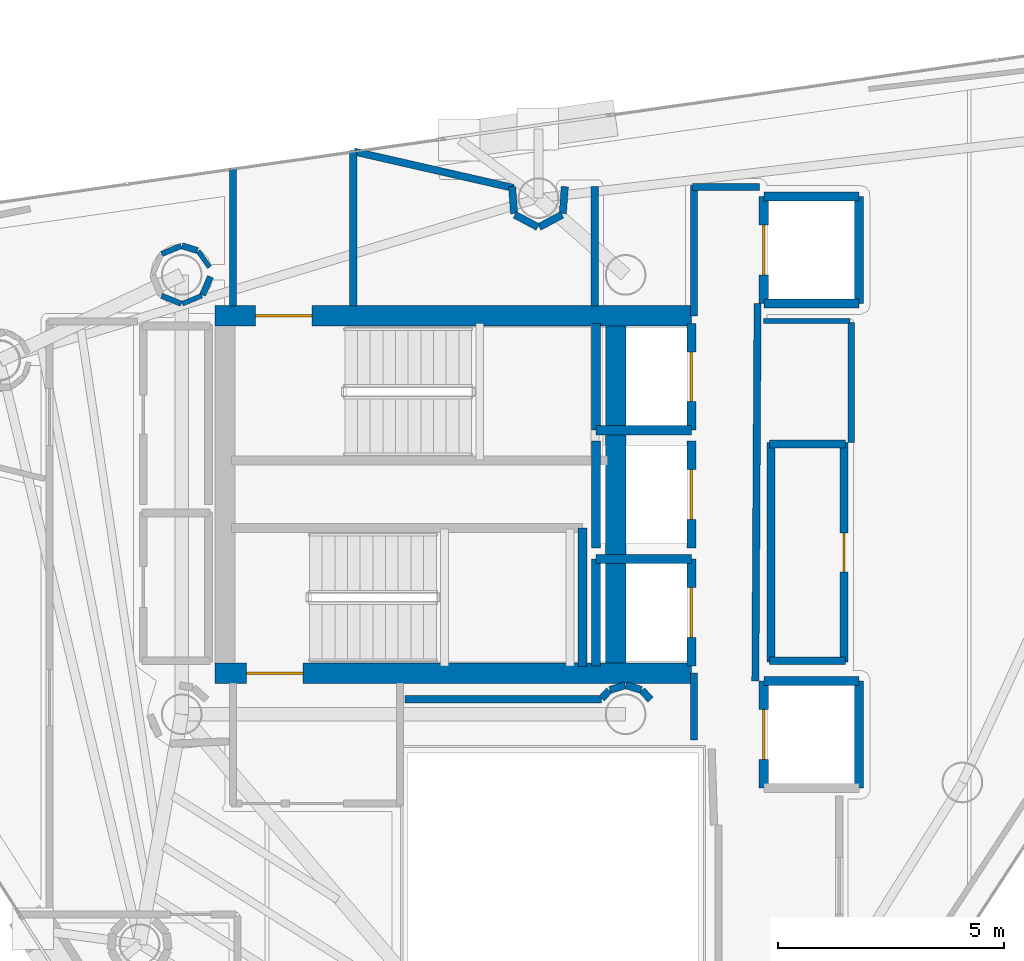
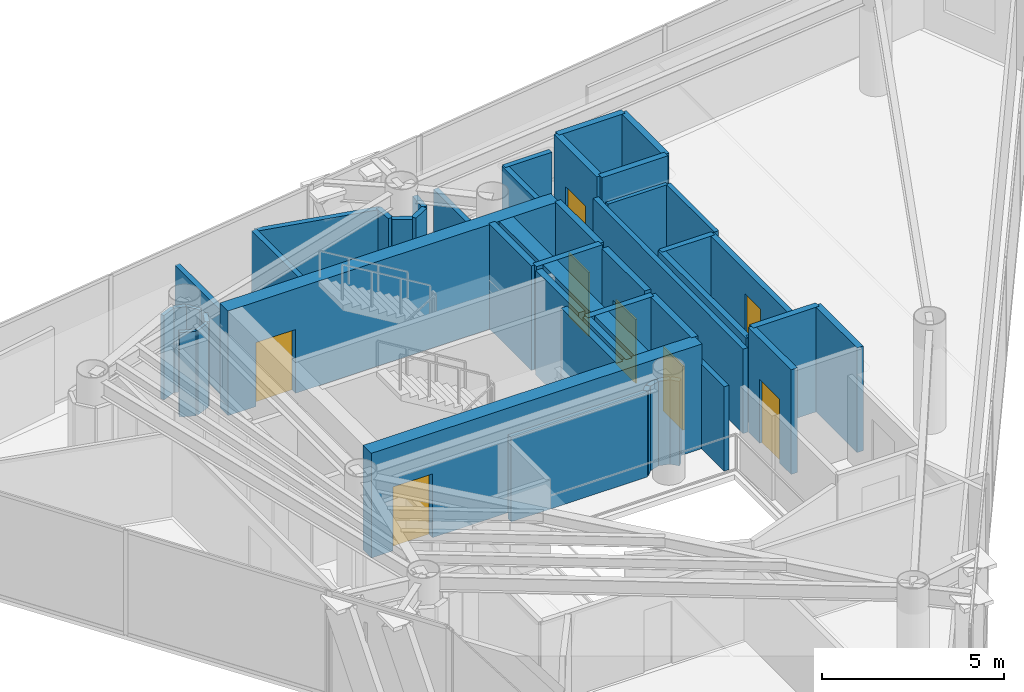
# One storey, part 21 of 25: 48 walls, 8 doors, 8 openings.
"""IFC4 building model written with IfcOpenShell, lengths in metres."""

from ifc_helpers import new_model, si_unit, direction, frame, frame_2d, origin, place, context, subcontext, project, spatial, rectangle, extrude, material, layer, layer_set, type_object, element, fill, save


model = new_model("IFC4")

# Units and contexts
model_context = context("Model", 3, precision=1e-05, world=origin(), true_north=direction((0.0, 1.0)))
body_context = subcontext(model_context, "Body", "Model", "MODEL_VIEW")
ifc_project = project(units=[si_unit("LENGTHUNIT", "METRE"), si_unit("AREAUNIT", "SQUARE_METRE"), si_unit("VOLUMEUNIT", "CUBIC_METRE"), si_unit("PLANEANGLEUNIT", "RADIAN"), si_unit("MASSUNIT", "GRAM", prefix="KILO")], contexts=[model_context])

# Site, building, storey
site_placement = place(None, origin())
site = spatial("IfcSite", under=ifc_project, at=site_placement, CompositionType="ELEMENT")
building_placement = place(site_placement, origin())
building = spatial("IfcBuilding", under=site, at=building_placement, Name="Qianvela Tower", CompositionType="ELEMENT")
storey_placement = place(building_placement, frame((0.0, 0.0, 288.0)))
storey = spatial("IfcBuildingStorey", under=building, at=storey_placement, Name="L74", CompositionType="ELEMENT", Elevation=288.0)

# Wall, opening, door
ifc_material_1 = material(Name="Concrete C50", Category="concrete")
ifc_layer_1 = layer(ifc_material_1, 0.449951171875)
ifc_layer_set_1 = layer_set([ifc_layer_1], Name="Concrete C50")
wall_type_1 = type_object("IfcWallType", Name="WT-CORE-450", PredefinedType="SHEAR", material=ifc_layer_set_1)
wall_1_placement = place(storey_placement, frame((29.330078125, 32.64501953125, 0.0), z_axis=(0.0, 0.0, 1.0), x_axis=(1.0, 0.0, 0.0)))
wall_1 = element("IfcWall", 1, at=wall_1_placement, inside=storey, type_object=wall_type_1, Name="L74 North Core Shear Wall", PredefinedType="SHEAR", context=body_context, shape_type="SweptSolid", body=[
    extrude(rectangle(XDim=10.52001953125, YDim=0.449951171875, at=frame_2d((5.260009765625, 0.0))), origin(), (0.0, 0.0, 1.0), 3.52001953125),
])
opening_1_placement = place(wall_1_placement, frame((0.89501953125, 0.0, 0.0)))
opening_1 = element("IfcOpeningElement", 2, at=opening_1_placement, cuts=wall_1, Name="Opening D-ST1", PredefinedType="OPENING", context=body_context, shape_type="SweptSolid", body=[
    extrude(rectangle(XDim=1.25, YDim=2.14990234375, at=frame_2d((0.625, 1.074951171875))), frame((0.0, 0.23486328125, 0.0), z_axis=(0.0, -1.0, 0.0), x_axis=(1.0, 0.0, 0.0)), (0.0, 0.0, 1.0), 0.469970703125),
])
ifc_material_2 = material(Name="Galvanised Fire Steel Q355B", Category="steel")
door_type_1 = type_object("IfcDoorType", Name="DT-STAIR-FD90", OperationType="NOTDEFINED", PredefinedType="DOOR", material=ifc_material_2)
door_1_placement = place(opening_1_placement, origin())
door_1 = element("IfcDoor", 3, at=door_1_placement, inside=storey, type_object=door_type_1, Name="L74 Stair ST-1 Exit Door", OperationType="SINGLE_SWING_RIGHT", OverallHeight=2.14990234375, OverallWidth=1.25, PredefinedType="DOOR", context=body_context, shape_type="SweptSolid", body=[
    extrude(rectangle(XDim=1.25, YDim=2.14990234375, at=frame_2d((0.625, 1.074951171875))), frame((0.0, 0.02490234375, 0.0), z_axis=(0.0, -1.0, 0.0), x_axis=(1.0, 0.0, 0.0)), (0.0, 0.0, 1.0), 0.050048828125),
])
fill(opening_1, door_1)

wall_2_placement = place(storey_placement, frame((29.330078125, 24.7548828125, 0.0), z_axis=(0.0, 0.0, 1.0), x_axis=(1.0, 0.0, 0.0)))
wall_2 = element("IfcWall", 4, at=wall_2_placement, inside=storey, type_object=wall_type_1, Name="L74 South Core Shear Wall", PredefinedType="SHEAR", context=body_context, shape_type="SweptSolid", body=[
    extrude(rectangle(XDim=10.52001953125, YDim=0.449951171875, at=frame_2d((5.260009765625, 0.0))), origin(), (0.0, 0.0, 1.0), 3.52001953125),
])
opening_2_placement = place(wall_2_placement, frame((0.695068359375, 0.0, 0.0)))
opening_2 = element("IfcOpeningElement", 5, at=opening_2_placement, cuts=wall_2, Name="Opening D-ST1", PredefinedType="OPENING", context=body_context, shape_type="SweptSolid", body=[
    extrude(rectangle(XDim=1.25, YDim=2.14990234375, at=frame_2d((0.625, 1.074951171875))), frame((0.0, 0.23486328125, 0.0), z_axis=(0.0, -1.0, 0.0), x_axis=(1.0, 0.0, 0.0)), (0.0, 0.0, 1.0), 0.469970703125),
])
door_2_placement = place(opening_2_placement, origin())
door_2 = element("IfcDoor", 6, at=door_2_placement, inside=storey, type_object=door_type_1, Name="L74 Stair ST-2 Exit Door", OperationType="SINGLE_SWING_RIGHT", OverallHeight=2.14990234375, OverallWidth=1.25, PredefinedType="DOOR", context=body_context, shape_type="SweptSolid", body=[
    extrude(rectangle(XDim=1.25, YDim=2.14990234375, at=frame_2d((0.625, 1.074951171875))), frame((0.0, 0.02490234375, 0.0), z_axis=(0.0, -1.0, 0.0), x_axis=(1.0, 0.0, 0.0)), (0.0, 0.0, 1.0), 0.050048828125),
])
fill(opening_2, door_2)

# Walls
wall_3_placement = place(storey_placement, frame((38.179931640625, 24.97998046875, 0.0), z_axis=(0.0, 0.0, 1.0), x_axis=(0.0, 1.0, 0.0)))
element("IfcWall", 7, at=wall_3_placement, inside=storey, type_object=wall_type_1, Name="L74 East Spine Core Shear Wall", PredefinedType="SHEAR", context=body_context, shape_type="SweptSolid", body=[
    extrude(rectangle(XDim=7.43994140625, YDim=0.449951171875, at=frame_2d((3.719970703125, 0.0))), origin(), (0.0, 0.0, 1.0), 3.52001953125),
])
ifc_material_3 = material(Name="Fire-Rated Gypsum and Concrete Block", Category="concrete")
ifc_layer_2 = layer(ifc_material_3, 0.159912109375)
ifc_layer_set_2 = layer_set([ifc_layer_2], Name="Fire-Rated Gypsum and Concrete Block")
wall_type_2 = type_object("IfcWallType", Name="WT-CORR-160", PredefinedType="PARTITIONING", material=ifc_layer_set_2)
wall_4_placement = place(storey_placement, frame((29.73095703125, 32.85791015625, 0.0), z_axis=(0.0, 0.0, 1.0), x_axis=(0.0, 1.0, 0.0)))
element("IfcWall", 8, at=wall_4_placement, inside=storey, type_object=wall_type_2, Name="L74 Partition 2", PredefinedType="PARTITIONING", context=body_context, shape_type="SweptSolid", body=[
    extrude(rectangle(XDim=3.052734375, YDim=0.159912109375, at=frame_2d((1.5263671875, 0.0))), origin(), (0.0, 0.0, 1.0), 2.840087890625),
])
wall_5_placement = place(storey_placement, frame((32.388916015625, 36.290283203125, 0.0), z_axis=(0.0, 0.0, 1.0), x_axis=(0.0, -1.0, 0.0)))
element("IfcWall", 9, at=wall_5_placement, inside=storey, type_object=wall_type_2, Name="L74 Partition 4", PredefinedType="PARTITIONING", context=body_context, shape_type="SweptSolid", body=[
    extrude(rectangle(XDim=3.432373046875, YDim=0.159912109375, at=frame_2d((1.71630859375, 0.0))), origin(), (0.0, 0.0, 1.0), 2.840087890625),
])
wall_6_placement = place(storey_placement, frame((39.910888671875, 23.280029296875, 0.0), z_axis=(0.0, 0.0, 1.0), x_axis=(0.0, 1.0, 0.0)))
element("IfcWall", 10, at=wall_6_placement, inside=storey, type_object=wall_type_2, Name="L74 Partition 10", PredefinedType="PARTITIONING", context=body_context, shape_type="SweptSolid", body=[
    extrude(rectangle(XDim=1.47998046875, YDim=0.159912109375, at=frame_2d((0.739990234375, 0.0))), origin(), (0.0, 0.0, 1.0), 2.840087890625),
])
wall_7_placement = place(storey_placement, frame((39.910888671875, 32.639892578125, 0.0), z_axis=(0.0, 0.0, 1.0), x_axis=(0.0, 1.0, 0.0)))
element("IfcWall", 11, at=wall_7_placement, inside=storey, type_object=wall_type_2, Name="L74 Partition 12", PredefinedType="PARTITIONING", context=body_context, shape_type="SweptSolid", body=[
    extrude(rectangle(XDim=2.880126953125, YDim=0.159912109375, at=frame_2d((1.43994140625, 0.0))), origin(), (0.0, 0.0, 1.0), 2.840087890625),
])
wall_8_placement = place(storey_placement, frame((39.8798828125, 35.489013671875, 0.0), z_axis=(0.0, 0.0, 1.0), x_axis=(1.0, 0.0, 0.0)))
element("IfcWall", 12, at=wall_8_placement, inside=storey, type_object=wall_type_2, Name="L74 Partition 13", PredefinedType="PARTITIONING", context=body_context, shape_type="SweptSolid", body=[
    extrude(rectangle(XDim=1.480224609375, YDim=0.159912109375, at=frame_2d((0.740234375, 0.0))), origin(), (0.0, 0.0, 1.0), 2.840087890625),
])
wall_9_placement = place(storey_placement, frame((41.3134765625, 32.919921875, 0.0), z_axis=(0.0, 0.0, 1.0), x_axis=(-0.005942518022, -0.999982343084, 0.0)))
element("IfcWall", 13, at=wall_9_placement, inside=storey, type_object=wall_type_2, Name="L74 Partition 14 seg 2", PredefinedType="PARTITIONING", context=body_context, shape_type="SweptSolid", body=[
    extrude(rectangle(XDim=8.340087890625, YDim=0.159912109375, at=frame_2d((4.169921875, 0.0))), origin(), (0.0, 0.0, 1.0), 2.840087890625),
])
wall_10_placement = place(storey_placement, frame((38.950927734375, 24.1708984375, 0.0), z_axis=(0.0, 0.0, 1.0), x_axis=(-0.674186852077, 0.738560822469, 0.0)))
element("IfcWall", 14, at=wall_10_placement, inside=storey, type_object=wall_type_2, Name="L74 Partition 33", PredefinedType="PARTITIONING", context=body_context, shape_type="SweptSolid", body=[
    extrude(rectangle(XDim=0.28076171875, YDim=0.159912109375, at=frame_2d((0.140380859375, 0.0))), origin(), (0.0, 0.0, 1.0), 2.840087890625),
])
wall_11_placement = place(storey_placement, frame((38.747802734375, 24.386962890625, 0.0), z_axis=(0.0, 0.0, 1.0), x_axis=(-0.956948991291, 0.290256142171, 0.0)))
element("IfcWall", 15, at=wall_11_placement, inside=storey, type_object=wall_type_2, Name="L74 Partition 34", PredefinedType="PARTITIONING", context=body_context, shape_type="SweptSolid", body=[
    extrude(rectangle(XDim=0.35400390625, YDim=0.159912109375, at=frame_2d((0.177001953125, 0.0))), origin(), (0.0, 0.0, 1.0), 2.840087890625),
])
wall_12_placement = place(storey_placement, frame((38.39111328125, 24.48974609375, 0.0), z_axis=(0.0, 0.0, 1.0), x_axis=(-0.957007018611, -0.290064762301, 0.0)))
element("IfcWall", 16, at=wall_12_placement, inside=storey, type_object=wall_type_2, Name="L74 Partition 35", PredefinedType="PARTITIONING", context=body_context, shape_type="SweptSolid", body=[
    extrude(rectangle(XDim=0.354248046875, YDim=0.159912109375, at=frame_2d((0.17724609375, 0.0))), origin(), (0.0, 0.0, 1.0), 2.840087890625),
])
wall_13_placement = place(storey_placement, frame((38.0380859375, 24.378173828125, 0.0), z_axis=(0.0, 0.0, 1.0), x_axis=(-0.673658387955, -0.739042878551, 0.0)))
element("IfcWall", 17, at=wall_13_placement, inside=storey, type_object=wall_type_2, Name="L74 Partition 36", PredefinedType="PARTITIONING", context=body_context, shape_type="SweptSolid", body=[
    extrude(rectangle(XDim=0.246337890625, YDim=0.159912109375, at=frame_2d((0.123046875, 0.0))), origin(), (0.0, 0.0, 1.0), 2.840087890625),
])
wall_14_placement = place(storey_placement, frame((37.8720703125, 24.180908203125, 0.0), z_axis=(0.0, 0.0, 1.0), x_axis=(-1.0, 0.0, 0.0)))
element("IfcWall", 18, at=wall_14_placement, inside=storey, type_object=wall_type_2, Name="L74 Partition 37", PredefinedType="PARTITIONING", context=body_context, shape_type="SweptSolid", body=[
    extrude(rectangle(XDim=4.342041015625, YDim=0.159912109375, at=frame_2d((2.1708984375, 0.0))), origin(), (0.0, 0.0, 1.0), 2.840087890625),
])
wall_15_placement = place(storey_placement, frame((32.4052734375, 36.2724609375, 0.0), z_axis=(0.0, 0.0, 1.0), x_axis=(0.974921840823, -0.222547532645, 0.0)))
element("IfcWall", 19, at=wall_15_placement, inside=storey, type_object=wall_type_2, Name="L74 Partition 51", PredefinedType="PARTITIONING", context=body_context, shape_type="SweptSolid", body=[
    extrude(rectangle(XDim=3.6103515625, YDim=0.159912109375, at=frame_2d((1.80517578125, 0.0))), origin(), (0.0, 0.0, 1.0), 2.840087890625),
])
wall_16_placement = place(storey_placement, frame((35.89404296875, 35.497802734375, 0.0), z_axis=(0.0, 0.0, 1.0), x_axis=(0.07354059826, -0.997292224179, 0.0)))
element("IfcWall", 20, at=wall_16_placement, inside=storey, type_object=wall_type_2, Name="L74 Partition 52", PredefinedType="PARTITIONING", context=body_context, shape_type="SweptSolid", body=[
    extrude(rectangle(XDim=0.59765625, YDim=0.159912109375, at=frame_2d((0.298828125, 0.0))), origin(), (0.0, 0.0, 1.0), 2.840087890625),
])
for number, where, z_axis, x_axis, name in (
    (21, (35.9541015625, 34.876708984375, 0.0), (0.0, 0.0, 1.0), (0.882047254832, -0.471160949405, 0.0), "L74 Partition 53"),
    (22, (36.490478515625, 34.605712890625, 0.0), (0.0, 0.0, 1.0), (0.882047254832, 0.471160949405, 0.0), "L74 Partition 54"),
):
    element("IfcWall", number, at=place(storey_placement, frame(where, z_axis=z_axis, x_axis=x_axis)), inside=storey, type_object=wall_type_2, Name=name, PredefinedType="PARTITIONING", context=body_context, shape_type="SweptSolid", body=[
        extrude(rectangle(XDim=0.5751953125, YDim=0.159912109375, at=frame_2d((0.28759765625, 0.0))), origin(), (0.0, 0.0, 1.0), 2.840087890625),
    ])
wall_17_placement = place(storey_placement, frame((37.01416015625, 34.90185546875, 0.0), z_axis=(0.0, 0.0, 1.0), x_axis=(0.073134230676, 0.997322106595, 0.0)))
element("IfcWall", 23, at=wall_17_placement, inside=storey, type_object=wall_type_2, Name="L74 Partition 55", PredefinedType="PARTITIONING", context=body_context, shape_type="SweptSolid", body=[
    extrude(rectangle(XDim=0.59765625, YDim=0.159912109375, at=frame_2d((0.298828125, 0.0))), origin(), (0.0, 0.0, 1.0), 2.840087890625),
])
wall_18_placement = place(storey_placement, frame((37.718994140625, 35.5, 0.0), z_axis=(0.0, 0.0, 1.0), x_axis=(0.0, -1.0, 0.0)))
element("IfcWall", 24, at=wall_18_placement, inside=storey, type_object=wall_type_2, Name="L74 Partition 57", PredefinedType="PARTITIONING", context=body_context, shape_type="SweptSolid", body=[
    extrude(rectangle(XDim=2.64208984375, YDim=0.159912109375, at=frame_2d((1.321044921875, 0.0))), origin(), (0.0, 0.0, 1.0), 2.840087890625),
])
ifc_material_4 = material(Name="Lightweight Gypsum Room Partition")
ifc_layer_3 = layer(ifc_material_4, 0.10498046875)
ifc_layer_set_3 = layer_set([ifc_layer_3], Name="Lightweight Gypsum Room Partition")
wall_type_3 = type_object("IfcWallType", Name="WT-PART-105", PredefinedType="PARTITIONING", material=ifc_layer_set_3)
wall_19_placement = place(storey_placement, frame((29.214111328125, 33.71875, 0.0), z_axis=(0.0, 0.0, 1.0), x_axis=(-0.57410245878, 0.818783467605, 0.0)))
element("IfcWall", 25, at=wall_19_placement, inside=storey, type_object=wall_type_3, Name="L74 Partition 131", PredefinedType="PARTITIONING", context=body_context, shape_type="SweptSolid", body=[
    extrude(rectangle(XDim=0.43505859375, YDim=0.10498046875, at=frame_2d((0.217529296875, 0.0))), origin(), (0.0, 0.0, 1.0), 2.840087890625),
])
wall_20_placement = place(storey_placement, frame((28.61181640625, 32.911376953125, 0.0), z_axis=(0.0, 0.0, 1.0), x_axis=(0.923863886655, 0.382721202621, 0.0)))
element("IfcWall", 26, at=wall_20_placement, inside=storey, type_object=wall_type_3, Name="L74 Partition 137", PredefinedType="PARTITIONING", context=body_context, shape_type="SweptSolid", body=[
    extrude(rectangle(XDim=0.467041015625, YDim=0.10498046875, at=frame_2d((0.2333984375, 0.0))), origin(), (0.0, 0.0, 1.0), 2.840087890625),
])
ifc_material_5 = material(Name="Insulated Gypsum Stud Partition")
ifc_layer_4 = layer(ifc_material_5, 0.1201171875)
ifc_layer_set_4 = layer_set([ifc_layer_4], Name="Insulated Gypsum Stud Partition")
wall_type_4 = type_object("IfcWallType", Name="WT-PART-120", PredefinedType="PARTITIONING", material=ifc_layer_set_4)
wall_21_placement = place(storey_placement, frame((43.35009765625, 32.531005859375, 0.0), z_axis=(0.0, 0.0, 1.0), x_axis=(-1.0, 0.0, 0.0)))
element("IfcWall", 27, at=wall_21_placement, inside=storey, type_object=wall_type_4, Name="L74 Partition 97", PredefinedType="PARTITIONING", context=body_context, shape_type="SweptSolid", body=[
    extrude(rectangle(XDim=1.91015625, YDim=0.1201171875, at=frame_2d((0.955078125, 0.0))), origin(), (0.0, 0.0, 1.0), 2.840087890625),
])
for number, where, z_axis, x_axis, name in (
    (28, (28.588134765625, 34.188720703125, 0.0), (0.0, 0.0, 1.0), (-0.923863886655, -0.382721202621, 0.0), "L74 Partition 133"),
    (29, (28.15673828125, 33.090087890625, 0.0), (0.0, 0.0, 1.0), (0.923863886655, -0.382721202621, 0.0), "L74 Partition 136"),
):
    element("IfcWall", number, at=place(storey_placement, frame(where, z_axis=z_axis, x_axis=x_axis)), inside=storey, type_object=wall_type_4, Name=name, PredefinedType="PARTITIONING", context=body_context, shape_type="SweptSolid", body=[
        extrude(rectangle(XDim=0.467041015625, YDim=0.1201171875, at=frame_2d((0.2333984375, 0.0))), origin(), (0.0, 0.0, 1.0), 2.840087890625),
    ])
ifc_material_6 = material(Name="Moisture-Resistant Acoustic Plumbing Wall")
ifc_layer_5 = layer(ifc_material_6, 0.175048828125)
ifc_layer_set_5 = layer_set([ifc_layer_5], Name="Moisture-Resistant Acoustic Plumbing Wall")
wall_type_5 = type_object("IfcWallType", Name="WT-PLUMB-175", PredefinedType="PLUMBINGWALL", material=ifc_layer_set_5)
wall_22_placement = place(storey_placement, frame((43.25, 25.031005859375, 0.0), z_axis=(0.0, 0.0, 1.0), x_axis=(-1.0, 0.0, 0.0)))
element("IfcWall", 30, at=wall_22_placement, inside=storey, type_object=wall_type_5, Name="L74 Partition 19", PredefinedType="PLUMBINGWALL", context=body_context, shape_type="SweptSolid", body=[
    extrude(rectangle(XDim=1.669921875, YDim=0.175048828125, at=frame_2d((0.8349609375, 0.0))), origin(), (0.0, 0.0, 1.0), 2.840087890625),
])
wall_23_placement = place(storey_placement, frame((41.611083984375, 25.0, 0.0), z_axis=(0.0, 0.0, 1.0), x_axis=(0.0, 1.0, 0.0)))
element("IfcWall", 31, at=wall_23_placement, inside=storey, type_object=wall_type_5, Name="L74 Partition 20", PredefinedType="PLUMBINGWALL", context=body_context, shape_type="SweptSolid", body=[
    extrude(rectangle(XDim=4.85009765625, YDim=0.175048828125, at=frame_2d((2.425048828125, 0.0))), origin(), (0.0, 0.0, 1.0), 2.840087890625),
])
wall_24_placement = place(storey_placement, frame((41.580078125, 29.819091796875, 0.0), z_axis=(0.0, 0.0, 1.0), x_axis=(1.0, 0.0, 0.0)))
element("IfcWall", 32, at=wall_24_placement, inside=storey, type_object=wall_type_5, Name="L74 Partition 21", PredefinedType="PLUMBINGWALL", context=body_context, shape_type="SweptSolid", body=[
    extrude(rectangle(XDim=1.669921875, YDim=0.175048828125, at=frame_2d((0.8349609375, 0.0))), origin(), (0.0, 0.0, 1.0), 2.840087890625),
])

# Wall, opening, door
wall_25_placement = place(storey_placement, frame((43.218994140625, 29.85009765625, 0.0), z_axis=(0.0, 0.0, 1.0), x_axis=(0.0, -1.0, 0.0)))
wall_25 = element("IfcWall", 33, at=wall_25_placement, inside=storey, type_object=wall_type_5, Name="L74 Partition 22", PredefinedType="PLUMBINGWALL", context=body_context, shape_type="SweptSolid", body=[
    extrude(rectangle(XDim=4.85009765625, YDim=0.175048828125, at=frame_2d((2.425048828125, 0.0))), origin(), (0.0, 0.0, 1.0), 2.840087890625),
])
opening_3_placement = place(wall_25_placement, frame((1.9951171875, 0.0, 0.0)))
opening_3 = element("IfcOpeningElement", 34, at=opening_3_placement, cuts=wall_25, Name="Opening D-WC1", PredefinedType="OPENING", context=body_context, shape_type="SweptSolid", body=[
    extrude(rectangle(XDim=0.860107421875, YDim=2.050048828125, at=frame_2d((0.43017578125, 1.02490234375))), frame((0.0, 0.097412109375, 0.0), z_axis=(0.0, -1.0, 0.0), x_axis=(1.0, 0.0, 0.0)), (0.0, 0.0, 1.0), 0.195068359375),
])
ifc_material_7 = material(Name="Moisture-Sealed Acoustic Timber Door", Category="wood")
door_type_2 = type_object("IfcDoorType", Name="DT-WC-860", OperationType="NOTDEFINED", PredefinedType="DOOR", material=ifc_material_7)
door_3_placement = place(opening_3_placement, origin())
door_3 = element("IfcDoor", 35, at=door_3_placement, inside=storey, type_object=door_type_2, Name="L74 Door L74 Accessible WC to Campus Convenience Shop L74-03", OperationType="SINGLE_SWING_RIGHT", OverallHeight=2.050048828125, OverallWidth=0.860107421875, PredefinedType="DOOR", context=body_context, shape_type="SweptSolid", body=[
    extrude(rectangle(XDim=0.860107421875, YDim=2.050048828125, at=frame_2d((0.43017578125, 1.02490234375))), frame((0.0, 0.02490234375, 0.0), z_axis=(0.0, -1.0, 0.0), x_axis=(1.0, 0.0, 0.0)), (0.0, 0.0, 1.0), 0.050048828125),
])
fill(opening_3, door_3)

# Walls
ifc_material_8 = material(Name="Acoustic Double Gypsum Stud Partition")
ifc_layer_6 = layer(ifc_material_8, 0.139892578125)
ifc_layer_set_6 = layer_set([ifc_layer_6], Name="Acoustic Double Gypsum Stud Partition")
wall_type_6 = type_object("IfcWallType", Name="WT-ROOM-140", PredefinedType="PARTITIONING", material=ifc_layer_set_6)
wall_26_placement = place(storey_placement, frame((43.381103515625, 29.85009765625, 0.0), z_axis=(0.0, 0.0, 1.0), x_axis=(0.0, 1.0, 0.0)))
element("IfcWall", 36, at=wall_26_placement, inside=storey, type_object=wall_type_6, Name="L74 Partition 96 seg 2", PredefinedType="PARTITIONING", context=body_context, shape_type="SweptSolid", body=[
    extrude(rectangle(XDim=2.64990234375, YDim=0.139892578125, at=frame_2d((1.324951171875, 0.0))), origin(), (0.0, 0.0, 1.0), 2.840087890625),
])
wall_27_placement = place(storey_placement, frame((28.947998046875, 34.0869140625, 0.0), z_axis=(0.0, 0.0, 1.0), x_axis=(-0.957007018611, 0.290064762301, 0.0)))
element("IfcWall", 37, at=wall_27_placement, inside=storey, type_object=wall_type_6, Name="L74 Partition 132", PredefinedType="PARTITIONING", context=body_context, shape_type="SweptSolid", body=[
    extrude(rectangle(XDim=0.354248046875, YDim=0.139892578125, at=frame_2d((0.17724609375, 0.0))), origin(), (0.0, 0.0, 1.0), 2.840087890625),
])
wall_28_placement = place(storey_placement, frame((29.059814453125, 33.106201171875, 0.0), z_axis=(0.0, 0.0, 1.0), x_axis=(0.400352069216, 0.916361402872, 0.0)))
element("IfcWall", 38, at=wall_28_placement, inside=storey, type_object=wall_type_6, Name="L74 Partition 138", PredefinedType="PARTITIONING", context=body_context, shape_type="SweptSolid", body=[
    extrude(rectangle(XDim=0.43896484375, YDim=0.139892578125, at=frame_2d((0.219482421875, 0.0))), origin(), (0.0, 0.0, 1.0), 2.840087890625),
])
ifc_material_9 = material(Name="Concrete C50", Category="concrete")
ifc_layer_7 = layer(ifc_material_9, 0.199951171875)
ifc_layer_set_7 = layer_set([ifc_layer_7], Name="Concrete C50")
wall_type_7 = type_object("IfcWallType", Name="WT-SHAFT-200", PredefinedType="SOLIDWALL", material=ifc_layer_set_7)
wall_29_placement = place(storey_placement, frame((37.449951171875, 24.89990234375, 0.0), z_axis=(0.0, 0.0, 1.0), x_axis=(0.0, 1.0, 0.0)))
element("IfcWall", 39, at=wall_29_placement, inside=storey, type_object=wall_type_7, Name="L74 Stair ST-2 East Wall", PredefinedType="SOLIDWALL", context=body_context, shape_type="SweptSolid", body=[
    extrude(rectangle(XDim=3.06005859375, YDim=0.199951171875, at=frame_2d((1.530029296875, 0.0))), origin(), (0.0, 0.0, 1.0), 3.52001953125),
])

# Wall, opening, door
wall_30_placement = place(storey_placement, frame((39.85009765625, 30.1201171875, 0.0), z_axis=(0.0, 0.0, 1.0), x_axis=(0.0, 1.0, 0.0)))
wall_30 = element("IfcWall", 40, at=wall_30_placement, inside=storey, type_object=wall_type_7, Name="L74 Lift FL-1 E Shaft Wall", PredefinedType="SOLIDWALL", context=body_context, shape_type="SweptSolid", body=[
    extrude(rectangle(XDim=2.35986328125, YDim=0.199951171875, at=frame_2d((1.179931640625, 0.0))), origin(), (0.0, 0.0, 1.0), 3.52001953125),
])
opening_4_placement = place(wall_30_placement, frame((0.6298828125, 0.0, 0.0)))
opening_4 = element("IfcOpeningElement", 41, at=opening_4_placement, cuts=wall_30, Name="Opening LD-01", PredefinedType="OPENING", context=body_context, shape_type="SweptSolid", body=[
    extrude(rectangle(XDim=1.10009765625, YDim=2.14990234375, at=frame_2d((0.550048828125, 1.074951171875))), frame((0.0, 0.10986328125, 0.0), z_axis=(0.0, -1.0, 0.0), x_axis=(1.0, 0.0, 0.0)), (0.0, 0.0, 1.0), 0.219970703125),
])
ifc_material_10 = material(Name="Brushed Stainless Steel Lift Landing Door", Category="steel")
door_type_3 = type_object("IfcDoorType", Name="DT-LIFT-SLIDE-1100", OperationType="SLIDING_TO_LEFT", PredefinedType="DOOR", material=ifc_material_10)
door_4_placement = place(opening_4_placement, origin())
door_4 = element("IfcDoor", 42, at=door_4_placement, inside=storey, type_object=door_type_3, Name="L74 Lift FL-1 Sliding Landing Door", OperationType="SLIDING_TO_LEFT", OverallHeight=2.14990234375, OverallWidth=1.10009765625, PredefinedType="DOOR", context=body_context, shape_type="SweptSolid", body=[
    extrude(rectangle(XDim=1.10009765625, YDim=2.14990234375, at=frame_2d((0.550048828125, 1.074951171875))), frame((0.0, 0.02490234375, 0.0), z_axis=(0.0, -1.0, 0.0), x_axis=(1.0, 0.0, 0.0)), (0.0, 0.0, 1.0), 0.050048828125),
])
fill(opening_4, door_4)

# Walls
wall_31_placement = place(storey_placement, frame((37.75, 30.1201171875, 0.0), z_axis=(0.0, 0.0, 1.0), x_axis=(0.0, 1.0, 0.0)))
element("IfcWall", 43, at=wall_31_placement, inside=storey, type_object=wall_type_7, Name="L74 Lift FL-1 W Shaft Wall", PredefinedType="SOLIDWALL", context=body_context, shape_type="SweptSolid", body=[
    extrude(rectangle(XDim=2.35986328125, YDim=0.199951171875, at=frame_2d((1.179931640625, 0.0))), origin(), (0.0, 0.0, 1.0), 3.52001953125),
])
wall_32_placement = place(storey_placement, frame((37.75, 30.1201171875, 0.0), z_axis=(0.0, 0.0, 1.0), x_axis=(1.0, 0.0, 0.0)))
element("IfcWall", 44, at=wall_32_placement, inside=storey, type_object=wall_type_7, Name="L74 Lift FL-1 S Shaft Wall", PredefinedType="SOLIDWALL", context=body_context, shape_type="SweptSolid", body=[
    extrude(rectangle(XDim=2.10009765625, YDim=0.199951171875, at=frame_2d((1.050048828125, 0.0))), origin(), (0.0, 0.0, 1.0), 3.52001953125),
])

# Wall, opening, door
wall_33_placement = place(storey_placement, frame((39.85009765625, 24.919921875, 0.0), z_axis=(0.0, 0.0, 1.0), x_axis=(0.0, 1.0, 0.0)))
wall_33 = element("IfcWall", 45, at=wall_33_placement, inside=storey, type_object=wall_type_7, Name="L74 Lift FL-2 E Shaft Wall", PredefinedType="SOLIDWALL", context=body_context, shape_type="SweptSolid", body=[
    extrude(rectangle(XDim=2.360107421875, YDim=0.199951171875, at=frame_2d((1.18017578125, 0.0))), origin(), (0.0, 0.0, 1.0), 3.52001953125),
])
opening_5_placement = place(wall_33_placement, frame((0.6298828125, 0.0, 0.0)))
opening_5 = element("IfcOpeningElement", 46, at=opening_5_placement, cuts=wall_33, Name="Opening LD-01", PredefinedType="OPENING", context=body_context, shape_type="SweptSolid", body=[
    extrude(rectangle(XDim=1.10009765625, YDim=2.14990234375, at=frame_2d((0.550048828125, 1.074951171875))), frame((0.0, 0.10986328125, 0.0), z_axis=(0.0, -1.0, 0.0), x_axis=(1.0, 0.0, 0.0)), (0.0, 0.0, 1.0), 0.219970703125),
])
door_5_placement = place(opening_5_placement, origin())
door_5 = element("IfcDoor", 47, at=door_5_placement, inside=storey, type_object=door_type_3, Name="L74 Lift FL-2 Sliding Landing Door", OperationType="SLIDING_TO_LEFT", OverallHeight=2.14990234375, OverallWidth=1.10009765625, PredefinedType="DOOR", context=body_context, shape_type="SweptSolid", body=[
    extrude(rectangle(XDim=1.10009765625, YDim=2.14990234375, at=frame_2d((0.550048828125, 1.074951171875))), frame((0.0, 0.02490234375, 0.0), z_axis=(0.0, -1.0, 0.0), x_axis=(1.0, 0.0, 0.0)), (0.0, 0.0, 1.0), 0.050048828125),
])
fill(opening_5, door_5)

# Walls
wall_34_placement = place(storey_placement, frame((37.75, 24.919921875, 0.0), z_axis=(0.0, 0.0, 1.0), x_axis=(0.0, 1.0, 0.0)))
element("IfcWall", 48, at=wall_34_placement, inside=storey, type_object=wall_type_7, Name="L74 Lift FL-2 W Shaft Wall", PredefinedType="SOLIDWALL", context=body_context, shape_type="SweptSolid", body=[
    extrude(rectangle(XDim=2.360107421875, YDim=0.199951171875, at=frame_2d((1.18017578125, 0.0))), origin(), (0.0, 0.0, 1.0), 3.52001953125),
])
wall_35_placement = place(storey_placement, frame((37.75, 27.280029296875, 0.0), z_axis=(0.0, 0.0, 1.0), x_axis=(1.0, 0.0, 0.0)))
element("IfcWall", 49, at=wall_35_placement, inside=storey, type_object=wall_type_7, Name="L74 Lift FL-2 N Shaft Wall", PredefinedType="SOLIDWALL", context=body_context, shape_type="SweptSolid", body=[
    extrude(rectangle(XDim=2.10009765625, YDim=0.199951171875, at=frame_2d((1.050048828125, 0.0))), origin(), (0.0, 0.0, 1.0), 3.52001953125),
])

# Wall, opening, door
wall_36_placement = place(storey_placement, frame((39.85009765625, 27.52001953125, 0.0), z_axis=(0.0, 0.0, 1.0), x_axis=(0.0, 1.0, 0.0)))
wall_36 = element("IfcWall", 50, at=wall_36_placement, inside=storey, type_object=wall_type_7, Name="L74 Lift PL-H1 E Shaft Wall", PredefinedType="SOLIDWALL", context=body_context, shape_type="SweptSolid", body=[
    extrude(rectangle(XDim=2.35986328125, YDim=0.199951171875, at=frame_2d((1.179931640625, 0.0))), origin(), (0.0, 0.0, 1.0), 3.52001953125),
])
opening_6_placement = place(wall_36_placement, frame((0.6298828125, 0.0, 0.0)))
opening_6 = element("IfcOpeningElement", 51, at=opening_6_placement, cuts=wall_36, Name="Opening LD-01", PredefinedType="OPENING", context=body_context, shape_type="SweptSolid", body=[
    extrude(rectangle(XDim=1.10009765625, YDim=2.14990234375, at=frame_2d((0.550048828125, 1.074951171875))), frame((0.0, 0.10986328125, 0.0), z_axis=(0.0, -1.0, 0.0), x_axis=(1.0, 0.0, 0.0)), (0.0, 0.0, 1.0), 0.219970703125),
])
door_6_placement = place(opening_6_placement, origin())
door_6 = element("IfcDoor", 52, at=door_6_placement, inside=storey, type_object=door_type_3, Name="L74 Lift PL-H1 Sliding Landing Door", OperationType="SLIDING_TO_LEFT", OverallHeight=2.14990234375, OverallWidth=1.10009765625, PredefinedType="DOOR", context=body_context, shape_type="SweptSolid", body=[
    extrude(rectangle(XDim=1.10009765625, YDim=2.14990234375, at=frame_2d((0.550048828125, 1.074951171875))), frame((0.0, 0.02490234375, 0.0), z_axis=(0.0, -1.0, 0.0), x_axis=(1.0, 0.0, 0.0)), (0.0, 0.0, 1.0), 0.050048828125),
])
fill(opening_6, door_6)

# Walls
wall_37_placement = place(storey_placement, frame((37.75, 27.52001953125, 0.0), z_axis=(0.0, 0.0, 1.0), x_axis=(0.0, 1.0, 0.0)))
element("IfcWall", 53, at=wall_37_placement, inside=storey, type_object=wall_type_7, Name="L74 Lift PL-H1 W Shaft Wall", PredefinedType="SOLIDWALL", context=body_context, shape_type="SweptSolid", body=[
    extrude(rectangle(XDim=2.35986328125, YDim=0.199951171875, at=frame_2d((1.179931640625, 0.0))), origin(), (0.0, 0.0, 1.0), 3.52001953125),
])
wall_38_placement = place(storey_placement, frame((43.550048828125, 22.219970703125, 0.0), z_axis=(0.0, 0.0, 1.0), x_axis=(0.0, 1.0, 0.0)))
element("IfcWall", 54, at=wall_38_placement, inside=storey, type_object=wall_type_7, Name="L74 Lift PL-H2 E Shaft Wall", PredefinedType="SOLIDWALL", context=body_context, shape_type="SweptSolid", body=[
    extrude(rectangle(XDim=2.360107421875, YDim=0.199951171875, at=frame_2d((1.18017578125, 0.0))), origin(), (0.0, 0.0, 1.0), 3.52001953125),
])

# Wall, opening, door
wall_39_placement = place(storey_placement, frame((41.449951171875, 22.219970703125, 0.0), z_axis=(0.0, 0.0, 1.0), x_axis=(0.0, 1.0, 0.0)))
wall_39 = element("IfcWall", 55, at=wall_39_placement, inside=storey, type_object=wall_type_7, Name="L74 Lift PL-H2 W Shaft Wall", PredefinedType="SOLIDWALL", context=body_context, shape_type="SweptSolid", body=[
    extrude(rectangle(XDim=2.360107421875, YDim=0.199951171875, at=frame_2d((1.18017578125, 0.0))), origin(), (0.0, 0.0, 1.0), 3.52001953125),
])
opening_7_placement = place(wall_39_placement, frame((0.6298828125, 0.0, 0.0)))
opening_7 = element("IfcOpeningElement", 56, at=opening_7_placement, cuts=wall_39, Name="Opening LD-01", PredefinedType="OPENING", context=body_context, shape_type="SweptSolid", body=[
    extrude(rectangle(XDim=1.10009765625, YDim=2.14990234375, at=frame_2d((0.550048828125, 1.074951171875))), frame((0.0, 0.10986328125, 0.0), z_axis=(0.0, -1.0, 0.0), x_axis=(1.0, 0.0, 0.0)), (0.0, 0.0, 1.0), 0.219970703125),
])
door_7_placement = place(opening_7_placement, origin())
door_7 = element("IfcDoor", 57, at=door_7_placement, inside=storey, type_object=door_type_3, Name="L74 Lift PL-H2 Sliding Landing Door", OperationType="SLIDING_TO_LEFT", OverallHeight=2.14990234375, OverallWidth=1.10009765625, PredefinedType="DOOR", context=body_context, shape_type="SweptSolid", body=[
    extrude(rectangle(XDim=1.10009765625, YDim=2.14990234375, at=frame_2d((0.550048828125, 1.074951171875))), frame((0.0, 0.02490234375, 0.0), z_axis=(0.0, -1.0, 0.0), x_axis=(1.0, 0.0, 0.0)), (0.0, 0.0, 1.0), 0.050048828125),
])
fill(opening_7, door_7)

# Walls
wall_40_placement = place(storey_placement, frame((41.449951171875, 24.580078125, 0.0), z_axis=(0.0, 0.0, 1.0), x_axis=(1.0, 0.0, 0.0)))
element("IfcWall", 58, at=wall_40_placement, inside=storey, type_object=wall_type_7, Name="L74 Lift PL-H2 N Shaft Wall", PredefinedType="SOLIDWALL", context=body_context, shape_type="SweptSolid", body=[
    extrude(rectangle(XDim=2.10009765625, YDim=0.199951171875, at=frame_2d((1.050048828125, 0.0))), origin(), (0.0, 0.0, 1.0), 3.52001953125),
])
wall_41_placement = place(storey_placement, frame((43.550048828125, 32.919921875, 0.0), z_axis=(0.0, 0.0, 1.0), x_axis=(0.0, 1.0, 0.0)))
element("IfcWall", 59, at=wall_41_placement, inside=storey, type_object=wall_type_7, Name="L74 Lift PL-H3 E Shaft Wall", PredefinedType="SOLIDWALL", context=body_context, shape_type="SweptSolid", body=[
    extrude(rectangle(XDim=2.360107421875, YDim=0.199951171875, at=frame_2d((1.18017578125, 0.0))), origin(), (0.0, 0.0, 1.0), 3.52001953125),
])

# Wall, opening, door
wall_42_placement = place(storey_placement, frame((41.449951171875, 32.919921875, 0.0), z_axis=(0.0, 0.0, 1.0), x_axis=(0.0, 1.0, 0.0)))
wall_42 = element("IfcWall", 60, at=wall_42_placement, inside=storey, type_object=wall_type_7, Name="L74 Lift PL-H3 W Shaft Wall", PredefinedType="SOLIDWALL", context=body_context, shape_type="SweptSolid", body=[
    extrude(rectangle(XDim=2.360107421875, YDim=0.199951171875, at=frame_2d((1.18017578125, 0.0))), origin(), (0.0, 0.0, 1.0), 3.52001953125),
])
opening_8_placement = place(wall_42_placement, frame((0.6298828125, 0.0, 0.0)))
opening_8 = element("IfcOpeningElement", 61, at=opening_8_placement, cuts=wall_42, Name="Opening LD-01", PredefinedType="OPENING", context=body_context, shape_type="SweptSolid", body=[
    extrude(rectangle(XDim=1.10009765625, YDim=2.14990234375, at=frame_2d((0.550048828125, 1.074951171875))), frame((0.0, 0.10986328125, 0.0), z_axis=(0.0, -1.0, 0.0), x_axis=(1.0, 0.0, 0.0)), (0.0, 0.0, 1.0), 0.219970703125),
])
door_8_placement = place(opening_8_placement, origin())
door_8 = element("IfcDoor", 62, at=door_8_placement, inside=storey, type_object=door_type_3, Name="L74 Lift PL-H3 Sliding Landing Door", OperationType="SLIDING_TO_LEFT", OverallHeight=2.14990234375, OverallWidth=1.10009765625, PredefinedType="DOOR", context=body_context, shape_type="SweptSolid", body=[
    extrude(rectangle(XDim=1.10009765625, YDim=2.14990234375, at=frame_2d((0.550048828125, 1.074951171875))), frame((0.0, 0.02490234375, 0.0), z_axis=(0.0, -1.0, 0.0), x_axis=(1.0, 0.0, 0.0)), (0.0, 0.0, 1.0), 0.050048828125),
])
fill(opening_8, door_8)

# Walls
for number, where, z_axis, x_axis, name in (
    (63, (41.449951171875, 35.280029296875, 0.0), (0.0, 0.0, 1.0), (1.0, 0.0, 0.0), "L74 Lift PL-H3 N Shaft Wall"),
    (64, (41.449951171875, 32.919921875, 0.0), (0.0, 0.0, 1.0), (1.0, 0.0, 0.0), "L74 Lift PL-H3 S Shaft Wall"),
):
    element("IfcWall", number, at=place(storey_placement, frame(where, z_axis=z_axis, x_axis=x_axis)), inside=storey, type_object=wall_type_7, Name=name, PredefinedType="SOLIDWALL", context=body_context, shape_type="SweptSolid", body=[
        extrude(rectangle(XDim=2.10009765625, YDim=0.199951171875, at=frame_2d((1.050048828125, 0.0))), origin(), (0.0, 0.0, 1.0), 3.52001953125),
    ])

save(model, "model.ifc")
